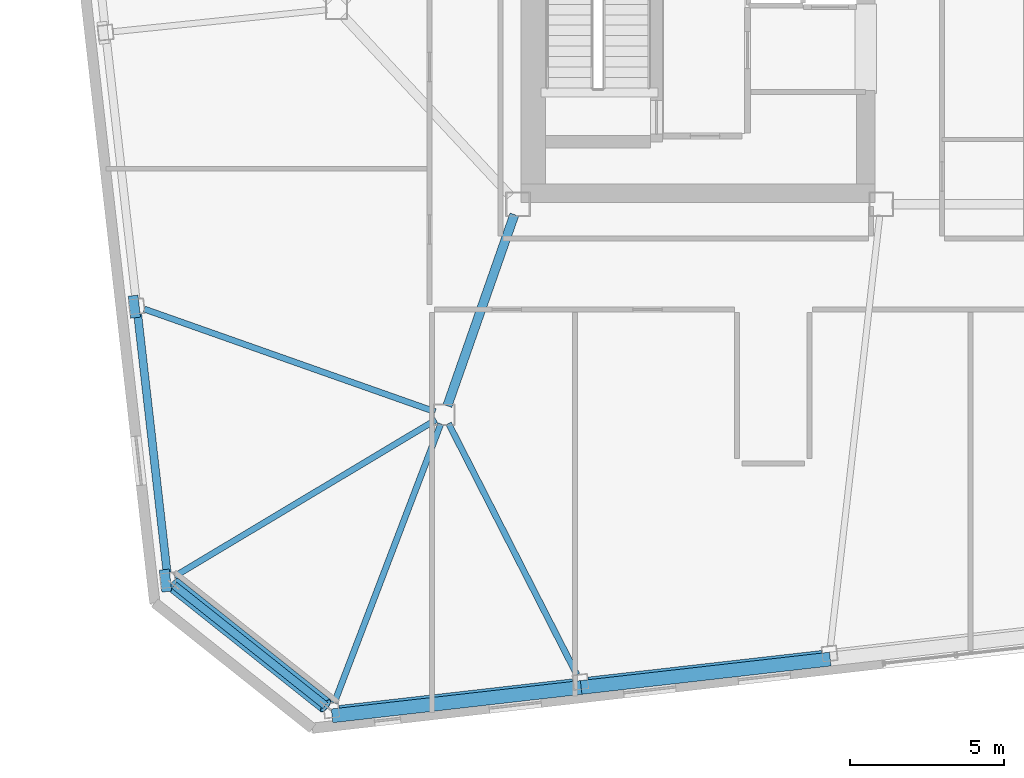
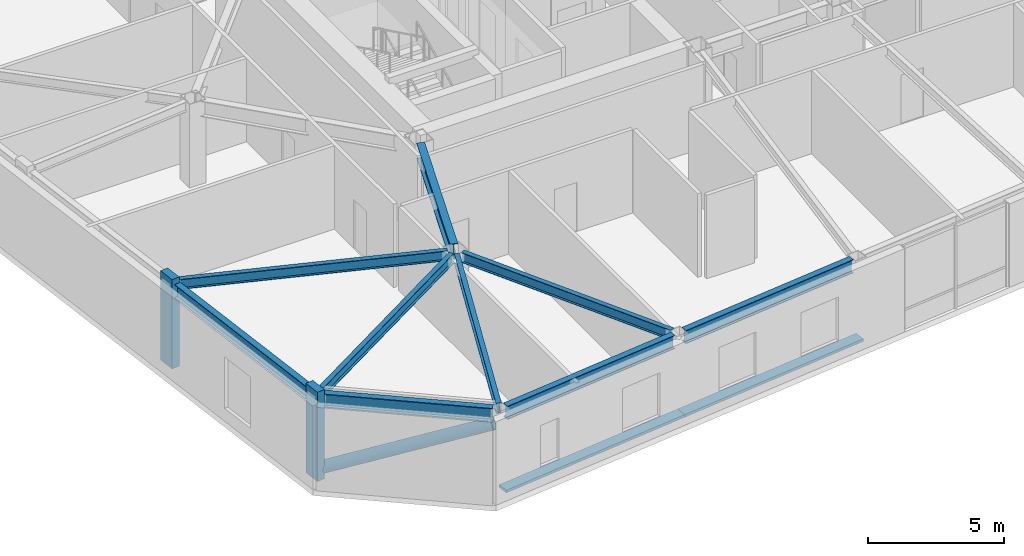
# One storey, part 3 of 19: 9 beams, 5 members.
"""IFC4 building model written with IfcOpenShell, lengths in metres."""

from ifc_helpers import new_model, si_unit, direction, frame, origin, origin_2d, place, context, subcontext, project, spatial, rectangle, hollow_circle, i_section, extrude, material, material_profile, profile_set, type_object, element, save


model = new_model("IFC4")

# Units and contexts
model_context = context("Model", 3, precision=1e-05, world=origin(), true_north=direction((0.0, 1.0)))
body_context = subcontext(model_context, "Body", "Model", "MODEL_VIEW")
ifc_project = project(units=[si_unit("LENGTHUNIT", "METRE"), si_unit("AREAUNIT", "SQUARE_METRE"), si_unit("VOLUMEUNIT", "CUBIC_METRE"), si_unit("PLANEANGLEUNIT", "RADIAN"), si_unit("MASSUNIT", "GRAM", prefix="KILO")], contexts=[model_context])

# Site, building, storey
site_placement = place(None, origin())
site = spatial("IfcSite", under=ifc_project, at=site_placement, CompositionType="ELEMENT")
building_placement = place(site_placement, origin())
building = spatial("IfcBuilding", under=site, at=building_placement, Name="Tavrogorsk Clinical Tower", CompositionType="ELEMENT")
storey_placement = place(building_placement, frame((0.0, 0.0, 255.0)))
storey = spatial("IfcBuildingStorey", under=building, at=storey_placement, Name="L59", CompositionType="ELEMENT", Elevation=255.0)

# Members
ifc_material_1 = material(Name="Anodised aluminium alloy AW-6063", Category="aluminium")
ifc_material_profile_1 = material_profile(ifc_material_1, rectangle(XDim=0.449951171875, YDim=0.1201171875, at=origin_2d()), Name="ALU-SUNSHADE-450x120")
ifc_profile_set_1 = profile_set([ifc_material_profile_1], Name="Anodised aluminium alloy AW-6063")
member_type_1 = type_object("IfcMemberType", Name="ChicagoSunshade_450x120", PredefinedType="USERDEFINED", material=ifc_profile_set_1)
for number, where, z_axis, x_axis, name in (
    (1, (-28.144287109375, -22.981201171875, 0.179931640625), (0.9935729766, 0.113193375116, 0.0), (-0.113193375116, 0.9935729766, 0.0), "L59 South Aluminium Sunshade S1"),
    (2, (-20.048095703125, -22.058837890625, 0.179931640625), (0.9935729766, 0.113193375116, 0.0), (-0.113193375116, 0.9935729766, 0.0), "L59 South Aluminium Sunshade S2"),
):
    element("IfcMember", number, at=place(storey_placement, frame(where, z_axis=z_axis, x_axis=x_axis)), inside=storey, type_object=member_type_1, Name=name, ObjectType="SUNSHADE", PredefinedType="USERDEFINED", context=body_context, shape_type="SweptSolid", body=[
        extrude(rectangle(XDim=0.449951171875, YDim=0.1201171875, at=origin_2d()), origin(), (0.0, 0.0, 1.0), 8.148681640625),
    ])
ifc_material_2 = material(Name="Structural steel S440", Category="steel")
ifc_material_profile_2 = material_profile(ifc_material_2, hollow_circle(Radius=0.25390625, WallThickness=0.02001953125, at=origin_2d()), Name="CHS-508x20")
ifc_profile_set_2 = profile_set([ifc_material_profile_2], Name="Structural steel S440")
member_type_2 = type_object("IfcMemberType", Name="ExoBrace_CHS508", PredefinedType="BRACE", material=ifc_profile_set_2)
member_placement = place(storey_placement, frame((-33.29052734375, -18.725341796875, 0.398193359375), z_axis=(0.723851679348, -0.575789482159, 0.380138420237), x_axis=(0.622522488852, 0.782601910855, 0.0)))
element("IfcMember", 3, at=member_placement, inside=storey, type_object=member_type_2, Name="L59 Corner Exoskeleton Brace W5-S1", PredefinedType="BRACE", context=body_context, shape_type="SweptSolid", body=[
    extrude(hollow_circle(Radius=0.25390625, WallThickness=0.02001953125, at=origin_2d()), origin(), (0.0, 0.0, 1.0), 6.8232421875),
])

# Beams
ifc_material_3 = material(Name="Structural steel S355", Category="steel")
ifc_material_profile_3 = material_profile(ifc_material_3, i_section(OverallWidth=0.199951171875, OverallDepth=0.449951171875, WebThickness=0.011474609375, FlangeThickness=0.01806640625, at=origin_2d()), Name="B-450x200x11.5x18")
ifc_profile_set_3 = profile_set([ifc_material_profile_3], Name="Structural steel S355")
beam_type_1 = type_object("IfcBeamType", Name="FloorBeam_B450", PredefinedType="BEAM", material=ifc_profile_set_3)
beam_1_placement = place(storey_placement, frame((-24.610595703125, -13.489501953125, 3.514892578125), z_axis=(-0.356548354426, -0.93427687061, 0.0), x_axis=(0.93427687061, -0.356548354426, 0.0)))
element("IfcBeam", 4, at=beam_1_placement, inside=storey, type_object=beam_type_1, Name="L59 Radial Floor Beam S1", PredefinedType="BEAM", context=body_context, shape_type="SweptSolid", body=[
    extrude(i_section(OverallWidth=0.199951171875, OverallDepth=0.449951171875, WebThickness=0.011474609375, FlangeThickness=0.01806640625, at=origin_2d()), origin(), (0.0, 0.0, 1.0), 9.710205078125),
])
beam_2_placement = place(storey_placement, frame((-24.359130859375, -13.47607421875, 3.514892578125), z_axis=(0.454709818127, -0.890639647275, 0.0), x_axis=(0.890639647275, 0.454709818127, 0.0)))
element("IfcBeam", 5, at=beam_2_placement, inside=storey, type_object=beam_type_1, Name="L59 Radial Floor Beam S2", PredefinedType="BEAM", context=body_context, shape_type="SweptSolid", body=[
    extrude(i_section(OverallWidth=0.199951171875, OverallDepth=0.449951171875, WebThickness=0.011474609375, FlangeThickness=0.01806640625, at=origin_2d()), origin(), (0.0, 0.0, 1.0), 9.177978515625),
])
beam_3_placement = place(storey_placement, frame((-24.792236328125, -13.096923828125, 3.514892578125), z_axis=(-0.943014153926, 0.332752619067, 0.0), x_axis=(-0.332752619067, -0.943014153926, 0.0)))
element("IfcBeam", 6, at=beam_3_placement, inside=storey, type_object=beam_type_1, Name="L59 Radial Floor Beam W4", PredefinedType="BEAM", context=body_context, shape_type="SweptSolid", body=[
    extrude(i_section(OverallWidth=0.199951171875, OverallDepth=0.449951171875, WebThickness=0.011474609375, FlangeThickness=0.01806640625, at=origin_2d()), origin(), (0.0, 0.0, 1.0), 10.027587890625),
])
beam_4_placement = place(storey_placement, frame((-24.765869140625, -13.359375, 3.514892578125), z_axis=(-0.857906237315, -0.513806274754, 0.0), x_axis=(0.513806274754, -0.857906237315, 0.0)))
element("IfcBeam", 7, at=beam_4_placement, inside=storey, type_object=beam_type_1, Name="L59 Radial Floor Beam W5", PredefinedType="BEAM", context=body_context, shape_type="SweptSolid", body=[
    extrude(i_section(OverallWidth=0.199951171875, OverallDepth=0.449951171875, WebThickness=0.011474609375, FlangeThickness=0.01806640625, at=origin_2d()), origin(), (0.0, 0.0, 1.0), 9.896240234375),
])

# Members
ifc_material_4 = material(Name="Precast concrete B45 with limestone cladding", Category="masonry")
ifc_material_profile_4 = material_profile(ifc_material_4, rectangle(XDim=0.320068359375, YDim=0.719970703125, at=origin_2d()), Name="LIMESTONE-FIN-320x720")
ifc_profile_set_4 = profile_set([ifc_material_profile_4], Name="Precast concrete B45 with limestone cladding")
member_type_3 = type_object("IfcMemberType", Name="LimestonePleatFin_320x720", PredefinedType="USERDEFINED", material=ifc_profile_set_4)
for number, where, z_axis, x_axis, name in (
    (8, (-34.571044921875, -9.683349609375, 0.0), (0.0, 0.0, 1.0), (0.993571855677, 0.113203213768, 0.0), "L59 W Pleated Stone Fin 3"),
    (9, (-33.556640625, -18.585693359375, 0.0), (0.0, 0.0, 1.0), (0.993571855677, 0.113203213768, 0.0), "L59 W Pleated Stone Fin 4"),
):
    element("IfcMember", number, at=place(storey_placement, frame(where, z_axis=z_axis, x_axis=x_axis)), inside=storey, type_object=member_type_3, Name=name, ObjectType="FIN", PredefinedType="USERDEFINED", context=body_context, shape_type="SweptSolid", body=[
        extrude(rectangle(XDim=0.320068359375, YDim=0.719970703125, at=origin_2d()), origin(), (0.0, 0.0, 1.0), 4.0),
    ])

# Beams
ifc_material_5 = material(Name="Structural steel S390", Category="steel")
ifc_material_profile_5 = material_profile(ifc_material_5, i_section(OverallWidth=0.300048828125, OverallDepth=0.699951171875, WebThickness=0.01708984375, FlangeThickness=0.028076171875, at=origin_2d()), Name="B-700x300x17x28")
ifc_profile_set_5 = profile_set([ifc_material_profile_5], Name="Structural steel S390")
beam_type_2 = type_object("IfcBeamType", Name="PrimaryGirder_B700", PredefinedType="USERDEFINED", material=ifc_profile_set_5)
beam_5_placement = place(storey_placement, frame((-24.3974609375, -12.907470703125, 3.389892578125), z_axis=(0.330654121425, 0.943752007672, 0.0), x_axis=(-0.943752007672, 0.330654121425, 0.0)))
element("IfcBeam", 10, at=beam_5_placement, inside=storey, type_object=beam_type_2, Name="L59 Spine Link Girder OPG-1", ObjectType="GIRDER", PredefinedType="USERDEFINED", context=body_context, shape_type="SweptSolid", body=[
    extrude(i_section(OverallWidth=0.300048828125, OverallDepth=0.699951171875, WebThickness=0.01708984375, FlangeThickness=0.028076171875, at=origin_2d()), origin(), (0.0, 0.0, 1.0), 6.58837890625),
])
ifc_material_6 = material(Name="Structural steel S390", Category="steel")
ifc_material_profile_6 = material_profile(ifc_material_6, i_section(OverallWidth=0.260009765625, OverallDepth=0.60009765625, WebThickness=0.014892578125, FlangeThickness=0.02392578125, at=origin_2d()), Name="B-600x260x15x24")
ifc_profile_set_6 = profile_set([ifc_material_profile_6], Name="Structural steel S390")
beam_type_3 = type_object("IfcBeamType", Name="SpandrelBeam_B600", PredefinedType="SPANDREL", material=ifc_profile_set_6)
for number, where, z_axis, x_axis, name in (
    (11, (-27.908447265625, -22.773193359375, 3.43994140625), (0.993575697004, 0.113169493787, 0.0), (-0.113169493787, 0.993575697004, 0.0), "L59 Perimeter Spandrel S1-S2"),
    (12, (-19.812255859375, -21.850830078125, 3.43994140625), (0.993572099834, 0.113201070804, 0.0), (-0.113201070804, 0.993572099834, 0.0), "L59 Perimeter Spandrel S2-S3"),
):
    element("IfcBeam", number, at=place(storey_placement, frame(where, z_axis=z_axis, x_axis=x_axis)), inside=storey, type_object=beam_type_3, Name=name, PredefinedType="SPANDREL", context=body_context, shape_type="SweptSolid", body=[
        extrude(i_section(OverallWidth=0.260009765625, OverallDepth=0.60009765625, WebThickness=0.014892578125, FlangeThickness=0.02392578125, at=origin_2d()), origin(), (0.0, 0.0, 1.0), 7.632568359375),
    ])
beam_6_placement = place(storey_placement, frame((-34.46240234375, -9.9306640625, 3.43994140625), z_axis=(0.113223671813, -0.993569524563, 0.0), x_axis=(0.993569524563, 0.113223671813, 0.0)))
element("IfcBeam", 13, at=beam_6_placement, inside=storey, type_object=beam_type_3, Name="L59 Perimeter Spandrel W4-W5", PredefinedType="SPANDREL", context=body_context, shape_type="SweptSolid", body=[
    extrude(i_section(OverallWidth=0.260009765625, OverallDepth=0.60009765625, WebThickness=0.014892578125, FlangeThickness=0.02392578125, at=origin_2d()), origin(), (0.0, 0.0, 1.0), 8.44384765625),
])
beam_7_placement = place(storey_placement, frame((-33.275390625, -18.7373046875, 3.43994140625), z_axis=(0.782608811853, -0.622513813188, 0.0), x_axis=(0.622513813188, 0.782608811853, 0.0)))
element("IfcBeam", 14, at=beam_7_placement, inside=storey, type_object=beam_type_3, Name="L59 Perimeter Spandrel W5-S1", PredefinedType="SPANDREL", context=body_context, shape_type="SweptSolid", body=[
    extrude(i_section(OverallWidth=0.260009765625, OverallDepth=0.60009765625, WebThickness=0.014892578125, FlangeThickness=0.02392578125, at=origin_2d()), origin(), (0.0, 0.0, 1.0), 6.272216796875),
])

save(model, "model.ifc")
